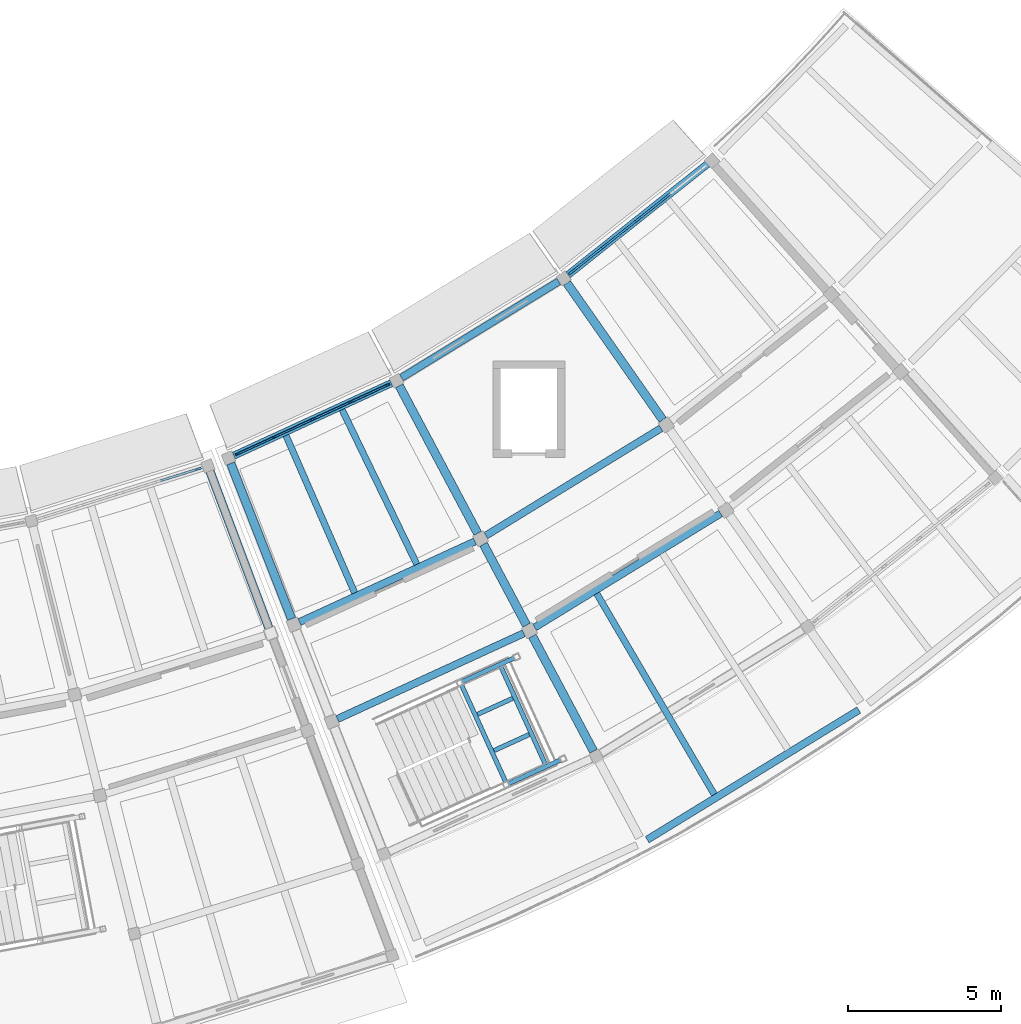
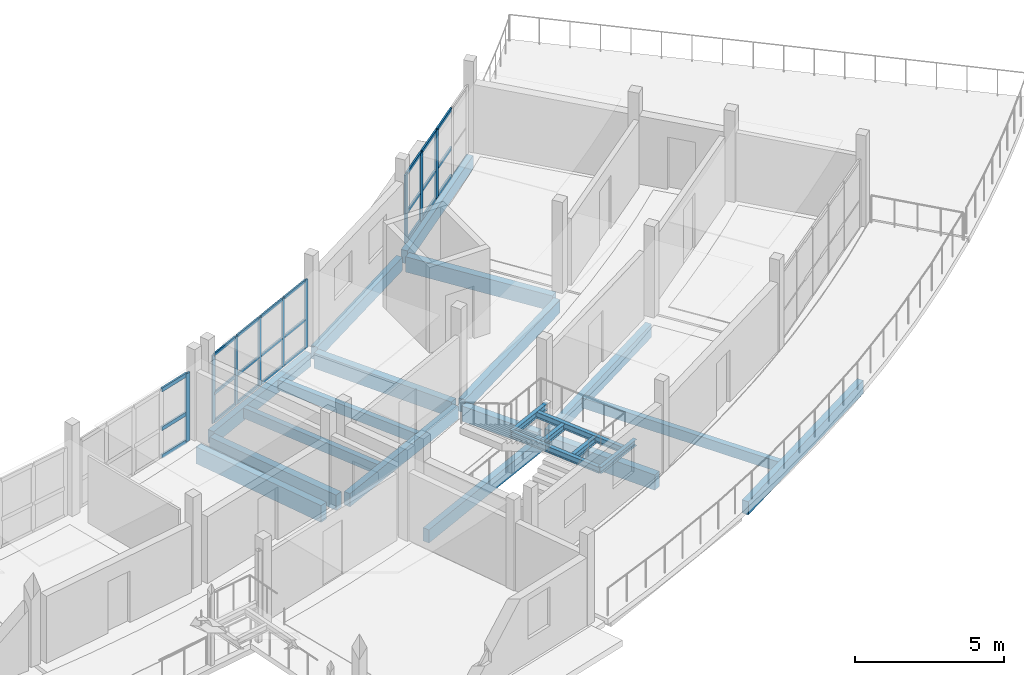
# One storey, part 18 of 36: 33 members, 23 beams, 3 elements without a shape of their own.
"""IFC4 building model written with IfcOpenShell, lengths in metres."""

from ifc_helpers import new_model, si_unit, direction, frame, origin, origin_2d, place, context, subcontext, project, spatial, rectangle, i_section, extrude, material, layer, layer_set, material_profile, profile_set, type_object, element, aggregate, save


model = new_model("IFC4")

# Units and contexts
model_context = context("Model", 3, precision=1e-05, world=origin(), true_north=direction((0.0, 1.0)))
body_context = subcontext(model_context, "Body", "Model", "MODEL_VIEW")
ifc_project = project(units=[si_unit("LENGTHUNIT", "METRE"), si_unit("AREAUNIT", "SQUARE_METRE"), si_unit("VOLUMEUNIT", "CUBIC_METRE"), si_unit("PLANEANGLEUNIT", "RADIAN"), si_unit("MASSUNIT", "GRAM", prefix="KILO")], contexts=[model_context])

# Site, building, storey
site_placement = place(None, origin())
site = spatial("IfcSite", under=ifc_project, at=site_placement, CompositionType="ELEMENT")
building_placement = place(site_placement, origin())
building = spatial("IfcBuilding", under=site, at=building_placement, Name="Caldaven Crescent School", CompositionType="ELEMENT")
storey_placement = place(building_placement, frame((0.0, 0.0, 11.89990234375)))
storey = spatial("IfcBuildingStorey", under=building, at=storey_placement, Name="L03", CompositionType="ELEMENT", Elevation=11.89990234375)

# Beams
ifc_material_1 = material(Name="Glulam MLE24h (GL28h)", Category="wood")
ifc_material_profile_1 = material_profile(ifc_material_1, rectangle(XDim=0.239990234375, YDim=0.5400390625, at=origin_2d()), Name="MLE 240x540")
ifc_profile_set_1 = profile_set([ifc_material_profile_1], Name="Glulam MLE24h (GL28h)")
beam_type_1 = type_object("IfcBeamType", Name="BM-GL54", PredefinedType="BEAM", material=ifc_profile_set_1)
beam_1_placement = place(storey_placement, frame((109.453369140625, 41.802978515625, -0.52001953125), z_axis=(0.908521604568, 0.417837880083, 0.0), x_axis=(-0.417837880083, 0.908521604568, 0.0)))
element("IfcBeam", 1, at=beam_1_placement, inside=storey, type_object=beam_type_1, Name="BMT-V4E-L03-1488", PredefinedType="BEAM", context=body_context, shape_type="SweptSolid", body=[
    extrude(rectangle(XDim=0.239990234375, YDim=0.5400390625, at=origin_2d()), origin(), (0.0, 0.0, 1.0), 6.307373046875),
])
beam_2_placement = place(storey_placement, frame((110.693603515625, 38.637451171875, -0.52001953125), z_axis=(0.908529189987, 0.41782138641, 0.0), x_axis=(-0.41782138641, 0.908529189987, 0.0)))
element("IfcBeam", 2, at=beam_2_placement, inside=storey, type_object=beam_type_1, Name="BMT-V4E-L03-1489", PredefinedType="BEAM", context=body_context, shape_type="SweptSolid", body=[
    extrude(rectangle(XDim=0.239990234375, YDim=0.5400390625, at=origin_2d()), origin(), (0.0, 0.0, 1.0), 6.69921875),
])
beam_3_placement = place(storey_placement, frame((115.544921875, 44.63134765625, -0.52001953125), z_axis=(0.85265146304, 0.52248012649, 0.0), x_axis=(-0.52248012649, 0.85265146304, 0.0)))
element("IfcBeam", 3, at=beam_3_placement, inside=storey, type_object=beam_type_1, Name="BMT-V4E-L03-1495", PredefinedType="BEAM", context=body_context, shape_type="SweptSolid", body=[
    extrude(rectangle(XDim=0.239990234375, YDim=0.5400390625, at=origin_2d()), origin(), (0.0, 0.0, 1.0), 6.708251953125),
])
beam_4_placement = place(storey_placement, frame((117.14111328125, 41.629150390625, -0.52001953125), z_axis=(0.852628835063, 0.522517051989, 0.0), x_axis=(-0.522517051989, 0.852628835063, 0.0)))
element("IfcBeam", 4, at=beam_4_placement, inside=storey, type_object=beam_type_1, Name="BMT-V4E-L03-1496", PredefinedType="BEAM", context=body_context, shape_type="SweptSolid", body=[
    extrude(rectangle(XDim=0.239990234375, YDim=0.5400390625, at=origin_2d()), origin(), (0.0, 0.0, 1.0), 7.12353515625),
])
ifc_material_profile_2 = material_profile(ifc_material_1, rectangle(XDim=0.280029296875, YDim=0.6298828125, at=origin_2d()), Name="MLE 280x630")
ifc_profile_set_2 = profile_set([ifc_material_profile_2], Name="Glulam MLE24h (GL28h)")
beam_type_2 = type_object("IfcBeamType", Name="BM-GL63", PredefinedType="BEAM", material=ifc_profile_set_2)
for number, where, z_axis, x_axis, name in (
    (5, (107.202392578125, 46.9873046875, -0.56494140625), (0.364799249955, -0.931086197531, 0.0), (0.931086197531, 0.364799249955, 0.0), "BMR-V4E-L03-1467"),
    (6, (112.712890625, 49.521728515625, -0.56494140625), (0.469468235073, -0.882949362227, 0.0), (0.882949362227, 0.469468235073, 0.0), "BMR-V4E-L03-1471"),
):
    element("IfcBeam", number, at=place(storey_placement, frame(where, z_axis=z_axis, x_axis=x_axis)), inside=storey, type_object=beam_type_2, Name=name, PredefinedType="BEAM", context=body_context, shape_type="SweptSolid", body=[
        extrude(rectangle(XDim=0.280029296875, YDim=0.6298828125, at=origin_2d()), origin(), (0.0, 0.0, 1.0), 5.455078125),
    ])
beam_5_placement = place(storey_placement, frame((115.466552734375, 44.34326171875, -0.56494140625), z_axis=(0.46941390334, -0.882978248515, 0.0), x_axis=(0.882978248515, 0.46941390334, 0.0)))
element("IfcBeam", 7, at=beam_5_placement, inside=storey, type_object=beam_type_2, Name="BMR-V4E-L03-1472", PredefinedType="BEAM", context=body_context, shape_type="SweptSolid", body=[
    extrude(rectangle(XDim=0.280029296875, YDim=0.6298828125, at=origin_2d()), origin(), (0.0, 0.0, 1.0), 2.989990234375),
])
beam_6_placement = place(storey_placement, frame((117.062744140625, 41.341064453125, -0.56494140625), z_axis=(0.469474034945, -0.882946278384, 0.0), x_axis=(0.882946278384, 0.469474034945, 0.0)))
element("IfcBeam", 8, at=beam_6_placement, inside=storey, type_object=beam_type_2, Name="BMR-V4E-L03-1473", PredefinedType="BEAM", context=body_context, shape_type="SweptSolid", body=[
    extrude(rectangle(XDim=0.280029296875, YDim=0.6298828125, at=origin_2d()), origin(), (0.0, 0.0, 1.0), 4.2548828125),
])
beam_7_placement = place(storey_placement, frame((118.193115234375, 52.8798828125, -0.56494140625), z_axis=(0.573579482338, -0.819149911457, 0.0), x_axis=(0.819149911457, 0.573579482338, 0.0)))
element("IfcBeam", 9, at=beam_7_placement, inside=storey, type_object=beam_type_2, Name="BMR-V4E-L03-1475", PredefinedType="BEAM", context=body_context, shape_type="SweptSolid", body=[
    extrude(rectangle(XDim=0.280029296875, YDim=0.6298828125, at=origin_2d()), origin(), (0.0, 0.0, 1.0), 5.455078125),
])
ifc_material_profile_3 = material_profile(ifc_material_1, rectangle(XDim=0.280029296875, YDim=0.68994140625, at=origin_2d()), Name="MLE 280x690")
ifc_profile_set_3 = profile_set([ifc_material_profile_3], Name="Glulam MLE24h (GL28h)")
beam_type_3 = type_object("IfcBeamType", Name="BM-GL69", PredefinedType="BEAM", material=ifc_profile_set_3)
beam_8_placement = place(storey_placement, frame((106.525634765625, 46.7275390625, -0.594970703125), z_axis=(0.351957103113, -0.936016131041, 0.0), x_axis=(0.936016131041, 0.351957103113, 0.0)))
element("IfcBeam", 10, at=beam_8_placement, inside=storey, type_object=beam_type_3, Name="BMR-V5-L03-1416", PredefinedType="BEAM", context=body_context, shape_type="SweptSolid", body=[
    extrude(rectangle(XDim=0.280029296875, YDim=0.68994140625, at=origin_2d()), origin(), (0.0, 0.0, 1.0), 5.455078125),
])
ifc_material_2 = material(Name="Steel ASTM A572 Grade 50", Category="steel")
ifc_material_profile_4 = material_profile(ifc_material_2, i_section(OverallWidth=0.14599609375, OverallDepth=0.258056640625, WebThickness=0.006103515625, FlangeThickness=0.009033203125, FilletRadius=0.011962890625, at=origin_2d()), Name="W250x33")
ifc_profile_set_4 = profile_set([ifc_material_profile_4], Name="Steel ASTM A572 Grade 50")
beam_type_4 = type_object("IfcBeamType", Name="BM-W25", PredefinedType="BEAM", material=ifc_profile_set_4)
beam_9_placement = place(storey_placement, frame((116.19921875, 36.4853515625, 1.546142578125), z_axis=(0.909970452599, 0.414673094614, 0.0), x_axis=(-0.414673094614, 0.909970452599, 0.0)))
element("IfcBeam", 11, at=beam_9_placement, inside=storey, type_object=beam_type_4, Name="BM-STSIDE-ST4-L03-SL", PredefinedType="BEAM", context=body_context, shape_type="SweptSolid", body=[
    extrude(i_section(OverallWidth=0.14599609375, OverallDepth=0.258056640625, WebThickness=0.006103515625, FlangeThickness=0.009033203125, FilletRadius=0.011962890625, at=origin_2d()), origin(), (0.0, 0.0, 1.0), 2.050048828125),
])
beam_10_placement = place(storey_placement, frame((114.681640625, 39.81591796875, 1.546142578125), z_axis=(0.90994997121, 0.414718036617, 0.0), x_axis=(-0.414718036617, 0.90994997121, 0.0)))
element("IfcBeam", 12, at=beam_10_placement, inside=storey, type_object=beam_type_4, Name="BM-STSIDE-ST4-L03-SR", PredefinedType="BEAM", context=body_context, shape_type="SweptSolid", body=[
    extrude(i_section(OverallWidth=0.14599609375, OverallDepth=0.258056640625, WebThickness=0.006103515625, FlangeThickness=0.009033203125, FilletRadius=0.011962890625, at=origin_2d()), origin(), (0.0, 0.0, 1.0), 2.0498046875),
])
for number, where, z_axis, x_axis, name in (
    (13, (116.2265625, 36.497802734375, 1.546142578125), (-0.414692271789, 0.909961713326, 0.0), (-0.909961713326, -0.414692271789, 0.0), "BM-STLND-ST4-L03-IN"),
    (14, (117.518798828125, 37.086669921875, 1.546142578125), (-0.414692271789, 0.909961713326, 0.0), (-0.909961713326, -0.414692271789, 0.0), "BM-STLND-ST4-L03-OUT"),
):
    element("IfcBeam", number, at=place(storey_placement, frame(where, z_axis=z_axis, x_axis=x_axis)), inside=storey, type_object=beam_type_4, Name=name, PredefinedType="BEAM", context=body_context, shape_type="SweptSolid", body=[
        extrude(i_section(OverallWidth=0.14599609375, OverallDepth=0.258056640625, WebThickness=0.006103515625, FlangeThickness=0.009033203125, FilletRadius=0.011962890625, at=origin_2d()), origin(), (0.0, 0.0, 1.0), 3.66015625),
    ])

# Curtain wall, members
ifc_material_3 = material(Name="Anodised aluminium AA 6063-T6 and low-E double glazing", Category="aluminium")
ifc_layer_1 = layer(ifc_material_3, 0.169921875)
ifc_layer_set_1 = layer_set([ifc_layer_1], Name="Anodised aluminium AA 6063-T6 and low-E double glazing")
curtain_wall_type_1 = type_object("IfcCurtainWallType", Name="CW-SYS1", PredefinedType="NOTDEFINED", material=ifc_layer_set_1)
curtain_wall_1_placement = place(storey_placement, origin())
curtain_wall_1 = element("IfcCurtainWall", 15, at=curtain_wall_1_placement, inside=storey, type_object=curtain_wall_type_1, Name="CW-L03-164", PredefinedType="NOTDEFINED")
ifc_material_4 = material(Name="Anodised aluminium AA 6063-T6", Category="aluminium")
ifc_material_profile_5 = material_profile(ifc_material_4, rectangle(XDim=0.06005859375, YDim=0.14990234375, at=origin_2d()), Name="CWM 60x150")
ifc_profile_set_5 = profile_set([ifc_material_profile_5], Name="Anodised aluminium AA 6063-T6")
member_type_1 = type_object("IfcMemberType", Name="CWM-T1", PredefinedType="MULLION", material=ifc_profile_set_5)
member_1_placement = place(storey_placement, frame((107.432861328125, 47.30224609375, 0.0), z_axis=(0.0, 0.0, 1.0), x_axis=(-0.417824094306, 0.908527944654, 0.0)))
member_1 = element("IfcMember", 16, at=member_1_placement, type_object=member_type_1, Name="CW1 mullion 1", PredefinedType="MULLION", context=body_context, shape_type="SweptSolid", body=[
    extrude(rectangle(XDim=0.06005859375, YDim=0.14990234375, at=origin_2d()), origin(), (0.0, 0.0, 1.0), 2.800048828125),
])
member_2_placement = place(storey_placement, frame((108.64208984375, 47.858154296875, 0.0), z_axis=(0.0, 0.0, 1.0), x_axis=(-0.417824094306, 0.908527944654, 0.0)))
member_2 = element("IfcMember", 17, at=member_2_placement, type_object=member_type_1, Name="CW1 mullion 2", PredefinedType="MULLION", context=body_context, shape_type="SweptSolid", body=[
    extrude(rectangle(XDim=0.06005859375, YDim=0.14990234375, at=origin_2d()), origin(), (0.0, 0.0, 1.0), 2.800048828125),
])
member_3_placement = place(storey_placement, frame((109.87841796875, 48.4267578125, 0.0), z_axis=(0.0, 0.0, 1.0), x_axis=(-0.417824094306, 0.908527944654, 0.0)))
member_3 = element("IfcMember", 18, at=member_3_placement, type_object=member_type_1, Name="CW1 mullion 3", PredefinedType="MULLION", context=body_context, shape_type="SweptSolid", body=[
    extrude(rectangle(XDim=0.06005859375, YDim=0.14990234375, at=origin_2d()), origin(), (0.0, 0.0, 1.0), 2.800048828125),
])
member_4_placement = place(storey_placement, frame((111.11474609375, 48.995361328125, 0.0), z_axis=(0.0, 0.0, 1.0), x_axis=(-0.417824094306, 0.908527944654, 0.0)))
member_4 = element("IfcMember", 19, at=member_4_placement, type_object=member_type_1, Name="CW1 mullion 4", PredefinedType="MULLION", context=body_context, shape_type="SweptSolid", body=[
    extrude(rectangle(XDim=0.06005859375, YDim=0.14990234375, at=origin_2d()), origin(), (0.0, 0.0, 1.0), 2.800048828125),
])
member_5_placement = place(storey_placement, frame((112.323974609375, 49.551513671875, 0.0), z_axis=(0.0, 0.0, 1.0), x_axis=(-0.417824094306, 0.908527944654, 0.0)))
member_5 = element("IfcMember", 20, at=member_5_placement, type_object=member_type_1, Name="CW1 mullion 5", PredefinedType="MULLION", context=body_context, shape_type="SweptSolid", body=[
    extrude(rectangle(XDim=0.06005859375, YDim=0.14990234375, at=origin_2d()), origin(), (0.0, 0.0, 1.0), 2.800048828125),
])

# Curtain wall, member
ifc_layer_2 = layer(ifc_material_3, 0.22998046875)
ifc_layer_set_2 = layer_set([ifc_layer_2], Name="Anodised aluminium AA 6063-T6 and low-E double glazing")
curtain_wall_type_2 = type_object("IfcCurtainWallType", Name="CW-SYS4", PredefinedType="NOTDEFINED", material=ifc_layer_set_2)
curtain_wall_2_placement = place(storey_placement, origin())
curtain_wall_2 = element("IfcCurtainWall", 21, at=curtain_wall_2_placement, inside=storey, type_object=curtain_wall_type_2, Name="CW-L03-163", PredefinedType="NOTDEFINED")
ifc_material_profile_6 = material_profile(ifc_material_4, rectangle(XDim=0.070068359375, YDim=0.2099609375, at=origin_2d()), Name="CWM 70x210")
ifc_profile_set_6 = profile_set([ifc_material_profile_6], Name="Anodised aluminium AA 6063-T6")
member_type_2 = type_object("IfcMemberType", Name="CWM-T3", PredefinedType="MULLION", material=ifc_profile_set_6)
member_6_placement = place(storey_placement, frame((106.138916015625, 46.805908203125, 0.0), z_axis=(0.0, 0.0, 1.0), x_axis=(-0.297419758694, 0.954746818344, 0.0)))
member_6 = element("IfcMember", 22, at=member_6_placement, type_object=member_type_2, Name="CW4 mullion 5", PredefinedType="MULLION", context=body_context, shape_type="SweptSolid", body=[
    extrude(rectangle(XDim=0.070068359375, YDim=0.2099609375, at=origin_2d()), origin(), (0.0, 0.0, 1.0), 2.800048828125),
])

# Curtain wall, members
ifc_layer_3 = layer(ifc_material_3, 0.2099609375)
ifc_layer_set_3 = layer_set([ifc_layer_3], Name="Anodised aluminium AA 6063-T6 and low-E double glazing")
curtain_wall_type_3 = type_object("IfcCurtainWallType", Name="CW-SYS3", PredefinedType="NOTDEFINED", material=ifc_layer_set_3)
curtain_wall_3_placement = place(storey_placement, origin())
curtain_wall_3 = element("IfcCurtainWall", 23, at=curtain_wall_3_placement, inside=storey, type_object=curtain_wall_type_3, Name="CW-L03-165", PredefinedType="NOTDEFINED")
member_7_placement = place(storey_placement, frame((118.3466796875, 53.243408203125, 0.0), z_axis=(0.0, 0.0, 1.0), x_axis=(-0.620909686639, 0.783882109145, 0.0)))
member_7 = element("IfcMember", 24, at=member_7_placement, type_object=member_type_2, Name="CW3 mullion 1", PredefinedType="MULLION", context=body_context, shape_type="SweptSolid", body=[
    extrude(rectangle(XDim=0.070068359375, YDim=0.2099609375, at=origin_2d()), origin(), (0.0, 0.0, 1.0), 2.800048828125),
])
member_8_placement = place(storey_placement, frame((119.41455078125, 54.08935546875, 0.0), z_axis=(0.0, 0.0, 1.0), x_axis=(-0.620909686639, 0.783882109145, 0.0)))
member_8 = element("IfcMember", 25, at=member_8_placement, type_object=member_type_2, Name="CW3 mullion 2", PredefinedType="MULLION", context=body_context, shape_type="SweptSolid", body=[
    extrude(rectangle(XDim=0.070068359375, YDim=0.2099609375, at=origin_2d()), origin(), (0.0, 0.0, 1.0), 2.800048828125),
])
member_9_placement = place(storey_placement, frame((120.510009765625, 54.95703125, 0.0), z_axis=(0.0, 0.0, 1.0), x_axis=(-0.620909686639, 0.783882109145, 0.0)))
member_9 = element("IfcMember", 26, at=member_9_placement, type_object=member_type_2, Name="CW3 mullion 3", PredefinedType="MULLION", context=body_context, shape_type="SweptSolid", body=[
    extrude(rectangle(XDim=0.070068359375, YDim=0.2099609375, at=origin_2d()), origin(), (0.0, 0.0, 1.0), 2.800048828125),
])

# Member
ifc_material_profile_7 = material_profile(ifc_material_4, rectangle(XDim=0.06005859375, YDim=0.1201171875, at=origin_2d()), Name="CWT 60x120")
ifc_profile_set_7 = profile_set([ifc_material_profile_7], Name="Anodised aluminium AA 6063-T6")
member_type_3 = type_object("IfcMemberType", Name="CWT-T1", PredefinedType="USERDEFINED", material=ifc_profile_set_7)
member_10_placement = place(storey_placement, frame((107.460205078125, 47.314697265625, 0.030029296875), z_axis=(0.908515250434, 0.417851695854, 0.0), x_axis=(-0.417851695854, 0.908515250434, 0.0)))
member_10 = element("IfcMember", 27, at=member_10_placement, type_object=member_type_3, Name="CW1 transom 1.1", ObjectType="TRANSOM", PredefinedType="USERDEFINED", context=body_context, shape_type="SweptSolid", body=[
    extrude(rectangle(XDim=0.06005859375, YDim=0.1201171875, at=origin_2d()), origin(), (0.0, 0.0, 1.0), 1.270751953125),
])

member_11_placement = place(storey_placement, frame((107.460205078125, 47.314697265625, 1.176025390625), z_axis=(0.908515250434, 0.417851695854, 0.0), x_axis=(-0.417851695854, 0.908515250434, 0.0)))
member_11 = element("IfcMember", 28, at=member_11_placement, type_object=member_type_3, Name="CW1 transom 1.2", ObjectType="TRANSOM", PredefinedType="USERDEFINED", context=body_context, shape_type="SweptSolid", body=[
    extrude(rectangle(XDim=0.06005859375, YDim=0.1201171875, at=origin_2d()), origin(), (0.0, 0.0, 1.0), 1.270751953125),
])

member_12_placement = place(storey_placement, frame((107.460205078125, 47.314697265625, 2.77001953125), z_axis=(0.908515250434, 0.417851695854, 0.0), x_axis=(-0.417851695854, 0.908515250434, 0.0)))
member_12 = element("IfcMember", 29, at=member_12_placement, type_object=member_type_3, Name="CW1 transom 1.3", ObjectType="TRANSOM", PredefinedType="USERDEFINED", context=body_context, shape_type="SweptSolid", body=[
    extrude(rectangle(XDim=0.06005859375, YDim=0.1201171875, at=origin_2d()), origin(), (0.0, 0.0, 1.0), 1.270751953125),
])

member_13_placement = place(storey_placement, frame((108.669189453125, 47.870849609375, 0.030029296875), z_axis=(0.908551721901, 0.417772388546, 0.0), x_axis=(-0.417772388546, 0.908551721901, 0.0)))
member_13 = element("IfcMember", 30, at=member_13_placement, type_object=member_type_3, Name="CW1 transom 2.1", ObjectType="TRANSOM", PredefinedType="USERDEFINED", context=body_context, shape_type="SweptSolid", body=[
    extrude(rectangle(XDim=0.06005859375, YDim=0.1201171875, at=origin_2d()), origin(), (0.0, 0.0, 1.0), 1.30078125),
])

member_14_placement = place(storey_placement, frame((108.669189453125, 47.870849609375, 1.176025390625), z_axis=(0.908551721901, 0.417772388546, 0.0), x_axis=(-0.417772388546, 0.908551721901, 0.0)))
member_14 = element("IfcMember", 31, at=member_14_placement, type_object=member_type_3, Name="CW1 transom 2.2", ObjectType="TRANSOM", PredefinedType="USERDEFINED", context=body_context, shape_type="SweptSolid", body=[
    extrude(rectangle(XDim=0.06005859375, YDim=0.1201171875, at=origin_2d()), origin(), (0.0, 0.0, 1.0), 1.30078125),
])

member_15_placement = place(storey_placement, frame((108.669189453125, 47.870849609375, 2.77001953125), z_axis=(0.908551721901, 0.417772388546, 0.0), x_axis=(-0.417772388546, 0.908551721901, 0.0)))
member_15 = element("IfcMember", 32, at=member_15_placement, type_object=member_type_3, Name="CW1 transom 2.3", ObjectType="TRANSOM", PredefinedType="USERDEFINED", context=body_context, shape_type="SweptSolid", body=[
    extrude(rectangle(XDim=0.06005859375, YDim=0.1201171875, at=origin_2d()), origin(), (0.0, 0.0, 1.0), 1.30078125),
])

member_16_placement = place(storey_placement, frame((109.90576171875, 48.439453125, 0.030029296875), z_axis=(0.908551721901, 0.417772388546, 0.0), x_axis=(-0.417772388546, 0.908551721901, 0.0)))
member_16 = element("IfcMember", 33, at=member_16_placement, type_object=member_type_3, Name="CW1 transom 3.1", ObjectType="TRANSOM", PredefinedType="USERDEFINED", context=body_context, shape_type="SweptSolid", body=[
    extrude(rectangle(XDim=0.06005859375, YDim=0.1201171875, at=origin_2d()), origin(), (0.0, 0.0, 1.0), 1.30078125),
])

member_17_placement = place(storey_placement, frame((109.90576171875, 48.439453125, 1.176025390625), z_axis=(0.908551721901, 0.417772388546, 0.0), x_axis=(-0.417772388546, 0.908551721901, 0.0)))
member_17 = element("IfcMember", 34, at=member_17_placement, type_object=member_type_3, Name="CW1 transom 3.2", ObjectType="TRANSOM", PredefinedType="USERDEFINED", context=body_context, shape_type="SweptSolid", body=[
    extrude(rectangle(XDim=0.06005859375, YDim=0.1201171875, at=origin_2d()), origin(), (0.0, 0.0, 1.0), 1.30078125),
])

member_18_placement = place(storey_placement, frame((109.90576171875, 48.439453125, 2.77001953125), z_axis=(0.908551721901, 0.417772388546, 0.0), x_axis=(-0.417772388546, 0.908551721901, 0.0)))
member_18 = element("IfcMember", 35, at=member_18_placement, type_object=member_type_3, Name="CW1 transom 3.3", ObjectType="TRANSOM", PredefinedType="USERDEFINED", context=body_context, shape_type="SweptSolid", body=[
    extrude(rectangle(XDim=0.06005859375, YDim=0.1201171875, at=origin_2d()), origin(), (0.0, 0.0, 1.0), 1.30078125),
])

member_19_placement = place(storey_placement, frame((111.14208984375, 49.008056640625, 0.030029296875), z_axis=(0.908515250434, 0.417851695854, 0.0), x_axis=(-0.417851695854, 0.908515250434, 0.0)))
member_19 = element("IfcMember", 36, at=member_19_placement, type_object=member_type_3, Name="CW1 transom 4.1", ObjectType="TRANSOM", PredefinedType="USERDEFINED", context=body_context, shape_type="SweptSolid", body=[
    extrude(rectangle(XDim=0.06005859375, YDim=0.1201171875, at=origin_2d()), origin(), (0.0, 0.0, 1.0), 1.270751953125),
])

member_20_placement = place(storey_placement, frame((111.14208984375, 49.008056640625, 1.176025390625), z_axis=(0.908515250434, 0.417851695854, 0.0), x_axis=(-0.417851695854, 0.908515250434, 0.0)))
member_20 = element("IfcMember", 37, at=member_20_placement, type_object=member_type_3, Name="CW1 transom 4.2", ObjectType="TRANSOM", PredefinedType="USERDEFINED", context=body_context, shape_type="SweptSolid", body=[
    extrude(rectangle(XDim=0.06005859375, YDim=0.1201171875, at=origin_2d()), origin(), (0.0, 0.0, 1.0), 1.270751953125),
])

member_21_placement = place(storey_placement, frame((111.14208984375, 49.008056640625, 2.77001953125), z_axis=(0.908515250434, 0.417851695854, 0.0), x_axis=(-0.417851695854, 0.908515250434, 0.0)))
member_21 = element("IfcMember", 38, at=member_21_placement, type_object=member_type_3, Name="CW1 transom 4.3", ObjectType="TRANSOM", PredefinedType="USERDEFINED", context=body_context, shape_type="SweptSolid", body=[
    extrude(rectangle(XDim=0.06005859375, YDim=0.1201171875, at=origin_2d()), origin(), (0.0, 0.0, 1.0), 1.270751953125),
])

aggregate(curtain_wall_1, [member_1, member_2, member_3, member_4, member_5, member_10, member_11, member_12, member_13, member_14, member_15, member_16, member_17, member_18, member_19, member_20, member_21])

ifc_material_profile_8 = material_profile(ifc_material_4, rectangle(XDim=0.06494140625, YDim=0.139892578125, at=origin_2d()), Name="CWT 65x140")
ifc_profile_set_8 = profile_set([ifc_material_profile_8], Name="Anodised aluminium AA 6063-T6")
member_type_4 = type_object("IfcMemberType", Name="CWT-T2", PredefinedType="USERDEFINED", material=ifc_profile_set_8)
member_22_placement = place(storey_placement, frame((118.3740234375, 53.26513671875, 0.03271484375), z_axis=(0.783900253541, 0.62088677913, 0.0), x_axis=(-0.62088677913, 0.783900253541, 0.0)))
member_22 = element("IfcMember", 39, at=member_22_placement, type_object=member_type_4, Name="CW3 transom 1.1", ObjectType="TRANSOM", PredefinedType="USERDEFINED", context=body_context, shape_type="SweptSolid", body=[
    extrude(rectangle(XDim=0.06494140625, YDim=0.139892578125, at=origin_2d()), origin(), (0.0, 0.0, 1.0), 1.29248046875),
])

member_23_placement = place(storey_placement, frame((118.3740234375, 53.26513671875, 1.176025390625), z_axis=(0.783900253541, 0.62088677913, 0.0), x_axis=(-0.62088677913, 0.783900253541, 0.0)))
member_23 = element("IfcMember", 40, at=member_23_placement, type_object=member_type_4, Name="CW3 transom 1.2", ObjectType="TRANSOM", PredefinedType="USERDEFINED", context=body_context, shape_type="SweptSolid", body=[
    extrude(rectangle(XDim=0.06494140625, YDim=0.139892578125, at=origin_2d()), origin(), (0.0, 0.0, 1.0), 1.29248046875),
])

member_24_placement = place(storey_placement, frame((118.3740234375, 53.26513671875, 2.767578125), z_axis=(0.783900253541, 0.62088677913, 0.0), x_axis=(-0.62088677913, 0.783900253541, 0.0)))
member_24 = element("IfcMember", 41, at=member_24_placement, type_object=member_type_4, Name="CW3 transom 1.3", ObjectType="TRANSOM", PredefinedType="USERDEFINED", context=body_context, shape_type="SweptSolid", body=[
    extrude(rectangle(XDim=0.06494140625, YDim=0.139892578125, at=origin_2d()), origin(), (0.0, 0.0, 1.0), 1.29248046875),
])

member_25_placement = place(storey_placement, frame((119.442138671875, 54.111083984375, 0.03271484375), z_axis=(0.783803314237, 0.621009150167, 0.0), x_axis=(-0.621009150167, 0.783803314237, 0.0)))
member_25 = element("IfcMember", 42, at=member_25_placement, type_object=member_type_4, Name="CW3 transom 2.1", ObjectType="TRANSOM", PredefinedType="USERDEFINED", context=body_context, shape_type="SweptSolid", body=[
    extrude(rectangle(XDim=0.06494140625, YDim=0.139892578125, at=origin_2d()), origin(), (0.0, 0.0, 1.0), 1.3271484375),
])

member_26_placement = place(storey_placement, frame((119.442138671875, 54.111083984375, 1.176025390625), z_axis=(0.783803314237, 0.621009150167, 0.0), x_axis=(-0.621009150167, 0.783803314237, 0.0)))
member_26 = element("IfcMember", 43, at=member_26_placement, type_object=member_type_4, Name="CW3 transom 2.2", ObjectType="TRANSOM", PredefinedType="USERDEFINED", context=body_context, shape_type="SweptSolid", body=[
    extrude(rectangle(XDim=0.06494140625, YDim=0.139892578125, at=origin_2d()), origin(), (0.0, 0.0, 1.0), 1.3271484375),
])

member_27_placement = place(storey_placement, frame((119.442138671875, 54.111083984375, 2.767578125), z_axis=(0.783803314237, 0.621009150167, 0.0), x_axis=(-0.621009150167, 0.783803314237, 0.0)))
member_27 = element("IfcMember", 44, at=member_27_placement, type_object=member_type_4, Name="CW3 transom 2.3", ObjectType="TRANSOM", PredefinedType="USERDEFINED", context=body_context, shape_type="SweptSolid", body=[
    extrude(rectangle(XDim=0.06494140625, YDim=0.139892578125, at=origin_2d()), origin(), (0.0, 0.0, 1.0), 1.3271484375),
])

member_28_placement = place(storey_placement, frame((120.537353515625, 54.978759765625, 0.03271484375), z_axis=(0.783874238958, 0.620919622413, 0.0), x_axis=(-0.620919622413, 0.783874238958, 0.0)))
member_28 = element("IfcMember", 45, at=member_28_placement, type_object=member_type_4, Name="CW3 transom 3.1", ObjectType="TRANSOM", PredefinedType="USERDEFINED", context=body_context, shape_type="SweptSolid", body=[
    extrude(rectangle(XDim=0.06494140625, YDim=0.139892578125, at=origin_2d()), origin(), (0.0, 0.0, 1.0), 1.327392578125),
])

member_29_placement = place(storey_placement, frame((120.537353515625, 54.978759765625, 1.176025390625), z_axis=(0.783874238958, 0.620919622413, 0.0), x_axis=(-0.620919622413, 0.783874238958, 0.0)))
member_29 = element("IfcMember", 46, at=member_29_placement, type_object=member_type_4, Name="CW3 transom 3.2", ObjectType="TRANSOM", PredefinedType="USERDEFINED", context=body_context, shape_type="SweptSolid", body=[
    extrude(rectangle(XDim=0.06494140625, YDim=0.139892578125, at=origin_2d()), origin(), (0.0, 0.0, 1.0), 1.327392578125),
])

member_30_placement = place(storey_placement, frame((120.537353515625, 54.978759765625, 2.767578125), z_axis=(0.783874238958, 0.620919622413, 0.0), x_axis=(-0.620919622413, 0.783874238958, 0.0)))
member_30 = element("IfcMember", 47, at=member_30_placement, type_object=member_type_4, Name="CW3 transom 3.3", ObjectType="TRANSOM", PredefinedType="USERDEFINED", context=body_context, shape_type="SweptSolid", body=[
    extrude(rectangle(XDim=0.06494140625, YDim=0.139892578125, at=origin_2d()), origin(), (0.0, 0.0, 1.0), 1.327392578125),
])

aggregate(curtain_wall_3, [member_7, member_8, member_9, member_22, member_23, member_24, member_25, member_26, member_27, member_28, member_29, member_30])

ifc_material_profile_9 = material_profile(ifc_material_4, rectangle(XDim=0.070068359375, YDim=0.159912109375, at=origin_2d()), Name="CWT 70x160")
ifc_profile_set_9 = profile_set([ifc_material_profile_9], Name="Anodised aluminium AA 6063-T6")
member_type_5 = type_object("IfcMemberType", Name="CWT-T3", PredefinedType="USERDEFINED", material=ifc_profile_set_9)
member_31_placement = place(storey_placement, frame((104.906494140625, 46.421875, 0.03515625), z_axis=(0.954739058626, 0.297444667012, 0.0), x_axis=(-0.297444667012, 0.954739058626, 0.0)))
member_31 = element("IfcMember", 48, at=member_31_placement, type_object=member_type_5, Name="CW4 transom 4.1", ObjectType="TRANSOM", PredefinedType="USERDEFINED", context=body_context, shape_type="SweptSolid", body=[
    extrude(rectangle(XDim=0.070068359375, YDim=0.159912109375, at=origin_2d()), origin(), (0.0, 0.0, 1.0), 1.255859375),
])

member_32_placement = place(storey_placement, frame((104.906494140625, 46.421875, 1.176025390625), z_axis=(0.954739058626, 0.297444667012, 0.0), x_axis=(-0.297444667012, 0.954739058626, 0.0)))
member_32 = element("IfcMember", 49, at=member_32_placement, type_object=member_type_5, Name="CW4 transom 4.2", ObjectType="TRANSOM", PredefinedType="USERDEFINED", context=body_context, shape_type="SweptSolid", body=[
    extrude(rectangle(XDim=0.070068359375, YDim=0.159912109375, at=origin_2d()), origin(), (0.0, 0.0, 1.0), 1.255859375),
])

member_33_placement = place(storey_placement, frame((104.906494140625, 46.421875, 2.76513671875), z_axis=(0.954739058626, 0.297444667012, 0.0), x_axis=(-0.297444667012, 0.954739058626, 0.0)))
member_33 = element("IfcMember", 50, at=member_33_placement, type_object=member_type_5, Name="CW4 transom 4.3", ObjectType="TRANSOM", PredefinedType="USERDEFINED", context=body_context, shape_type="SweptSolid", body=[
    extrude(rectangle(XDim=0.070068359375, YDim=0.159912109375, at=origin_2d()), origin(), (0.0, 0.0, 1.0), 1.255859375),
])

aggregate(curtain_wall_2, [member_6, member_31, member_32, member_33])

# Beams
ifc_material_profile_10 = material_profile(ifc_material_1, rectangle(XDim=0.2099609375, YDim=0.419921875, at=origin_2d()), Name="MLE 210x420")
ifc_profile_set_10 = profile_set([ifc_material_profile_10], Name="Glulam MLE24h (GL28h)")
beam_type_5 = type_object("IfcBeamType", Name="JS-GL42", PredefinedType="JOIST", material=ifc_profile_set_10)
beam_11_placement = place(storey_placement, frame((109.00927734375, 47.900634765625, -0.4599609375), z_axis=(0.400268713255, -0.916397816011, 0.0), x_axis=(0.916397816011, 0.400268713255, 0.0)))
element("IfcBeam", 51, at=beam_11_placement, inside=storey, type_object=beam_type_5, Name="JSR-V4E-L03-1492", PredefinedType="JOIST", context=body_context, shape_type="SweptSolid", body=[
    extrude(rectangle(XDim=0.2099609375, YDim=0.419921875, at=origin_2d()), origin(), (0.0, 0.0, 1.0), 5.611572265625),
])
beam_12_placement = place(storey_placement, frame((110.843505859375, 48.744140625, -0.4599609375), z_axis=(0.435252715728, -0.900308321327, 0.0), x_axis=(0.900308321327, 0.435252715728, 0.0)))
element("IfcBeam", 52, at=beam_12_placement, inside=storey, type_object=beam_type_5, Name="JSR-V4E-L03-1493", PredefinedType="JOIST", context=body_context, shape_type="SweptSolid", body=[
    extrude(rectangle(XDim=0.2099609375, YDim=0.419921875, at=origin_2d()), origin(), (0.0, 0.0, 1.0), 5.611328125),
])
beam_13_placement = place(storey_placement, frame((119.16552734375, 42.73486328125, -0.4599609375), z_axis=(0.505006034993, -0.863115811824, 0.0), x_axis=(0.863115811824, 0.505006034993, 0.0)))
element("IfcBeam", 53, at=beam_13_placement, inside=storey, type_object=beam_type_5, Name="JSR-V4E-L03-1499", PredefinedType="JOIST", context=body_context, shape_type="SweptSolid", body=[
    extrude(rectangle(XDim=0.2099609375, YDim=0.419921875, at=origin_2d()), origin(), (0.0, 0.0, 1.0), 7.60693359375),
])
ifc_material_profile_11 = material_profile(ifc_material_2, i_section(OverallWidth=0.14599609375, OverallDepth=0.258056640625, WebThickness=0.006103515625, FlangeThickness=0.009033203125, FilletRadius=0.011962890625, at=origin_2d()), Name="W250x33")
ifc_profile_set_11 = profile_set([ifc_material_profile_11], Name="Steel ASTM A572 Grade 50")
beam_type_6 = type_object("IfcBeamType", Name="LN-W25", PredefinedType="LINTEL", material=ifc_profile_set_11)
for number, where, z_axis, x_axis, name in (
    (54, (115.81005859375, 37.604736328125, 1.546142578125), (0.909894759802, 0.414839156886, 0.0), (-0.414839156886, 0.909894759802, 0.0), "BM-STJST-ST4-L03-JL"),
    (55, (115.27099609375, 38.787841796875, 1.546142578125), (0.909967888005, 0.414678722387, 0.0), (-0.414678722387, 0.909967888005, 0.0), "BM-STJST-ST4-L03-JR"),
):
    element("IfcBeam", number, at=place(storey_placement, frame(where, z_axis=z_axis, x_axis=x_axis)), inside=storey, type_object=beam_type_6, Name=name, PredefinedType="LINTEL", context=body_context, shape_type="SweptSolid", body=[
        extrude(i_section(OverallWidth=0.14599609375, OverallDepth=0.258056640625, WebThickness=0.006103515625, FlangeThickness=0.009033203125, FilletRadius=0.011962890625, at=origin_2d()), origin(), (0.0, 0.0, 1.0), 1.260009765625),
    ])
ifc_material_profile_12 = material_profile(ifc_material_1, rectangle(XDim=0.239990234375, YDim=0.5400390625, at=origin_2d()), Name="MLE 240x540")
ifc_profile_set_12 = profile_set([ifc_material_profile_12], Name="Glulam MLE24h (GL28h)")
beam_type_7 = type_object("IfcBeamType", Name="SP-GL54", PredefinedType="SPANDREL", material=ifc_profile_set_12)
beam_14_placement = place(storey_placement, frame((107.3056640625, 47.24365234375, -0.52001953125), z_axis=(0.908522527623, 0.417835873043, 0.0), x_axis=(-0.417835873043, 0.908522527623, 0.0)))
element("IfcBeam", 56, at=beam_14_placement, inside=storey, type_object=beam_type_7, Name="BMT-V4E-L03-1487", PredefinedType="SPANDREL", context=body_context, shape_type="SweptSolid", body=[
    extrude(rectangle(XDim=0.239990234375, YDim=0.5400390625, at=origin_2d()), origin(), (0.0, 0.0, 1.0), 5.66357421875),
])
beam_15_placement = place(storey_placement, frame((112.785888671875, 49.78857421875, -0.52001953125), z_axis=(0.852623968023, 0.522524993807, 0.0), x_axis=(-0.522524993807, 0.852623968023, 0.0)))
element("IfcBeam", 57, at=beam_15_placement, inside=storey, type_object=beam_type_7, Name="BMT-V4E-L03-1494", PredefinedType="SPANDREL", context=body_context, shape_type="SweptSolid", body=[
    extrude(rectangle(XDim=0.239990234375, YDim=0.5400390625, at=origin_2d()), origin(), (0.0, 0.0, 1.0), 6.02392578125),
])
beam_16_placement = place(storey_placement, frame((120.813720703125, 34.690185546875, -0.52001953125), z_axis=(0.852635422245, 0.522506303056, 0.0), x_axis=(-0.522506303056, 0.852635422245, 0.0)))
element("IfcBeam", 58, at=beam_16_placement, inside=storey, type_object=beam_type_7, Name="BMT-V4E-L03-1498", PredefinedType="SPANDREL", context=body_context, shape_type="SweptSolid", body=[
    extrude(rectangle(XDim=0.239990234375, YDim=0.5400390625, at=origin_2d()), origin(), (0.0, 0.0, 1.0), 8.11181640625),
])
beam_17_placement = place(storey_placement, frame((118.232666015625, 53.15380859375, -0.52001953125), z_axis=(0.782621246861, 0.622498179886, 0.0), x_axis=(-0.622498179886, 0.782621246861, 0.0)))
element("IfcBeam", 59, at=beam_17_placement, inside=storey, type_object=beam_type_7, Name="BMT-V4E-L03-1501", PredefinedType="SPANDREL", context=body_context, shape_type="SweptSolid", body=[
    extrude(rectangle(XDim=0.239990234375, YDim=0.5400390625, at=origin_2d()), origin(), (0.0, 0.0, 1.0), 6.024169921875),
])

save(model, "model.ifc")
